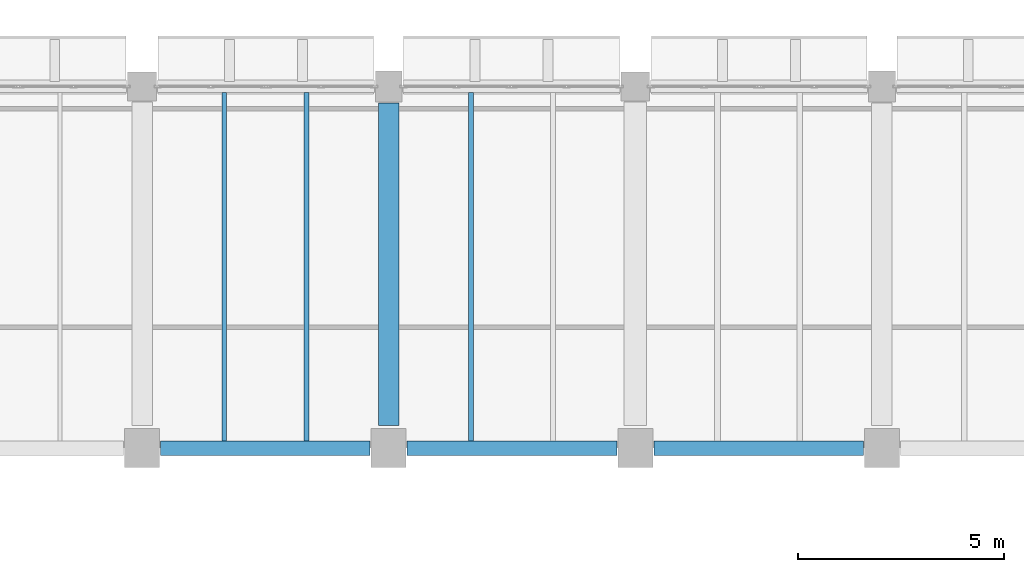
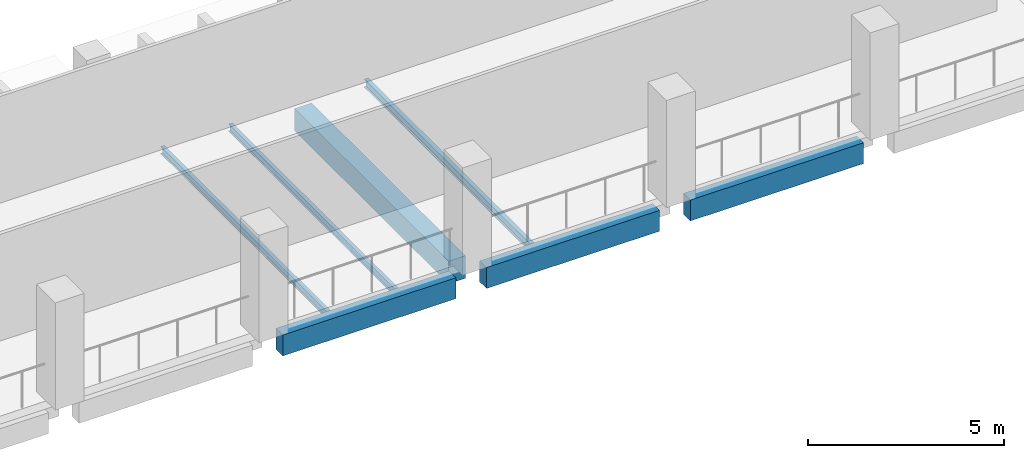
# One storey, part 37 of 75: 7 beams.
"""IFC4 building model written with IfcOpenShell, lengths in metres."""

from ifc_helpers import new_model, si_unit, direction, frame, origin, origin_2d, place, context, subcontext, project, spatial, rectangle, i_section, extrude, material, material_profile, profile_set, type_object, element, save


model = new_model("IFC4")

# Units and contexts
model_context = context("Model", 3, precision=1e-05, world=origin(), true_north=direction((0.0, 1.0)))
body_context = subcontext(model_context, "Body", "Model", "MODEL_VIEW")
ifc_project = project(units=[si_unit("LENGTHUNIT", "METRE"), si_unit("AREAUNIT", "SQUARE_METRE"), si_unit("VOLUMEUNIT", "CUBIC_METRE"), si_unit("PLANEANGLEUNIT", "RADIAN"), si_unit("MASSUNIT", "GRAM", prefix="KILO")], contexts=[model_context])

# Site, building, storey
site_placement = place(None, origin())
site = spatial("IfcSite", under=ifc_project, at=site_placement, CompositionType="ELEMENT")
building_placement = place(site_placement, origin())
building = spatial("IfcBuilding", under=site, at=building_placement, Name="Varnakota Cinema and Media Centre", CompositionType="ELEMENT")
storey_placement = place(building_placement, frame((0.0, 0.0, 8.39990234375)))
storey = spatial("IfcBuildingStorey", under=building, at=storey_placement, Name="L02", CompositionType="ELEMENT", Elevation=8.39990234375)

# Beams
ifc_material_1 = material(Name="Concrete M35", Category="concrete")
ifc_material_profile_1 = material_profile(ifc_material_1, rectangle(XDim=0.5, YDim=0.699951171875, at=origin_2d()), Name="RCB 500x700")
ifc_profile_set_1 = profile_set([ifc_material_profile_1], Name="Concrete M35")
beam_type_1 = type_object("IfcBeamType", Name="BM-RC-500x700", PredefinedType="BEAM", material=ifc_profile_set_1)
beam_1_placement = place(storey_placement, frame((117.0, 35.75, -0.599853515625), z_axis=(0.0, 1.0, 0.0), x_axis=(-1.0, 0.0, 0.0)))
element("IfcBeam", 1, at=beam_1_placement, inside=storey, type_object=beam_type_1, Name="L02 girder S/5-6", PredefinedType="BEAM", context=body_context, shape_type="SweptSolid", body=[
    extrude(rectangle(XDim=0.5, YDim=0.699951171875, at=origin_2d()), origin(), (0.0, 0.0, 1.0), 7.85009765625),
])
ifc_material_2 = material(Name="Concrete M40", Category="concrete")
ifc_material_profile_2 = material_profile(ifc_material_2, rectangle(XDim=0.35009765625, YDim=0.64990234375, at=origin_2d()), Name="RCB 350x650")
ifc_profile_set_2 = profile_set([ifc_material_profile_2], Name="Concrete M40")
beam_type_2 = type_object("IfcBeamType", Name="BM-SP-350x650", PredefinedType="SPANDREL", material=ifc_profile_set_2)
for number, where, z_axis, x_axis, name in (
    (2, (111.449951171875, 35.199951171875, -0.574951171875), (1.0, 0.0, 0.0), (0.0, 1.0, 0.0), "L02 girder R-S/5"),
    (3, (117.449951171875, 35.199951171875, -0.574951171875), (1.0, 0.0, 0.0), (0.0, 1.0, 0.0), "L02 girder S-T/5"),
    (4, (123.449951171875, 35.199951171875, -0.574951171875), (1.0, 0.0, 0.0), (0.0, 1.0, 0.0), "L02 girder T-U/5"),
):
    element("IfcBeam", number, at=place(storey_placement, frame(where, z_axis=z_axis, x_axis=x_axis)), inside=storey, type_object=beam_type_2, Name=name, PredefinedType="SPANDREL", context=body_context, shape_type="SweptSolid", body=[
        extrude(rectangle(XDim=0.35009765625, YDim=0.64990234375, at=origin_2d()), origin(), (0.0, 0.0, 1.0), 5.10009765625),
    ])
ifc_material_3 = material(Name="Structural steel Grade 350 (E350)", Category="steel")
ifc_material_profile_3 = material_profile(ifc_material_3, i_section(OverallWidth=0.110107421875, OverallDepth=0.22509765625, WebThickness=0.006591796875, FlangeThickness=0.01171875, FilletRadius=0.011962890625, at=origin_2d()), Name="ISMB 225")
ifc_profile_set_3 = profile_set([ifc_material_profile_3], Name="Structural steel Grade 350 (E350)")
beam_type_3 = type_object("IfcBeamType", Name="BM-ST-ISMB225", PredefinedType="JOIST", material=ifc_profile_set_3)
for number, where, z_axis, x_axis, name in (
    (5, (113.0, 35.375, -0.3623046875), (0.0, 1.0, 0.0), (-1.0, 0.0, 0.0), "L02 steel joist R-S/5-6 #1"),
    (6, (115.0, 35.375, -0.3623046875), (0.0, 1.0, 0.0), (-1.0, 0.0, 0.0), "L02 steel joist R-S/5-6 #2"),
):
    element("IfcBeam", number, at=place(storey_placement, frame(where, z_axis=z_axis, x_axis=x_axis)), inside=storey, type_object=beam_type_3, Name=name, PredefinedType="JOIST", context=body_context, shape_type="SweptSolid", body=[
        extrude(i_section(OverallWidth=0.110107421875, OverallDepth=0.22509765625, WebThickness=0.006591796875, FlangeThickness=0.01171875, FilletRadius=0.011962890625, at=origin_2d()), origin(), (0.0, 0.0, 1.0), 8.47509765625),
    ])
ifc_material_4 = material(Name="Structural steel Grade 350 (E350)", Category="steel")
ifc_material_profile_4 = material_profile(ifc_material_4, i_section(OverallWidth=0.125, OverallDepth=0.25, WebThickness=0.0068359375, FlangeThickness=0.012451171875, FilletRadius=0.012939453125, at=origin_2d()), Name="ISMB 250")
ifc_profile_set_4 = profile_set([ifc_material_profile_4], Name="Structural steel Grade 350 (E350)")
beam_type_4 = type_object("IfcBeamType", Name="BM-ST-ISMB250", PredefinedType="JOIST", material=ifc_profile_set_4)
beam_2_placement = place(storey_placement, frame((119.0, 35.375, -0.375), z_axis=(0.0, 1.0, 0.0), x_axis=(-1.0, 0.0, 0.0)))
element("IfcBeam", 7, at=beam_2_placement, inside=storey, type_object=beam_type_4, Name="L02 steel joist S-T/5-6 #1", PredefinedType="JOIST", context=body_context, shape_type="SweptSolid", body=[
    extrude(i_section(OverallWidth=0.125, OverallDepth=0.25, WebThickness=0.0068359375, FlangeThickness=0.012451171875, FilletRadius=0.012939453125, at=origin_2d()), origin(), (0.0, 0.0, 1.0), 8.47509765625),
])

save(model, "model.ifc")
